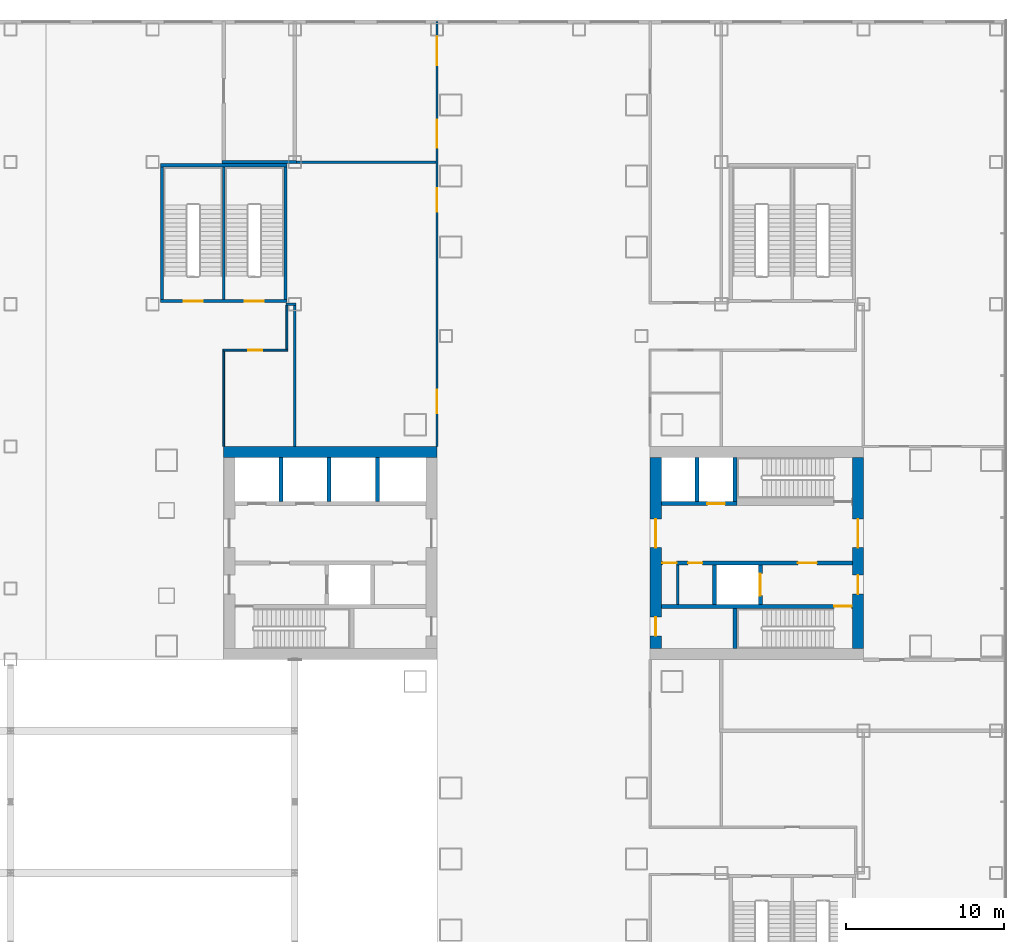
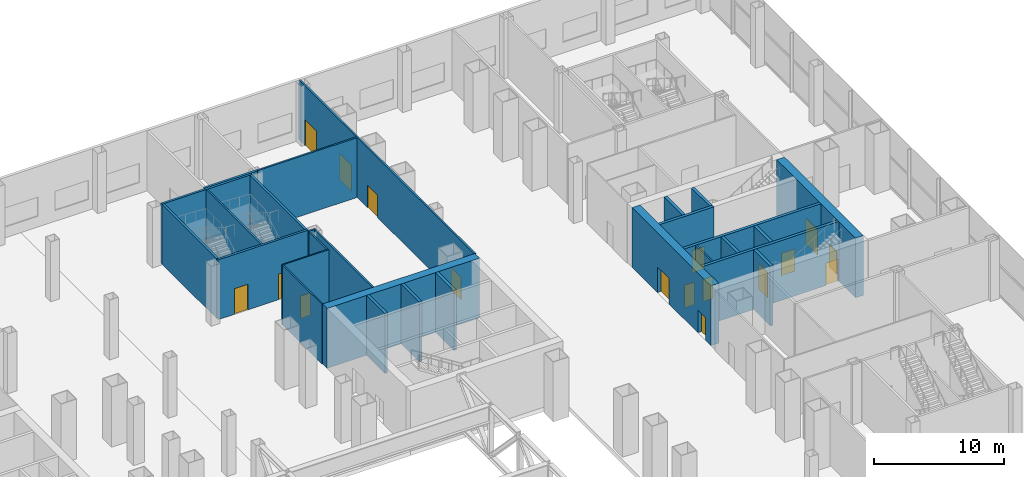
# One storey, part 22 of 33: 28 walls, 17 doors, 17 openings.
"""IFC4 building model written with IfcOpenShell, lengths in metres."""

import ifcopenshell
import ifcopenshell.guid

model = None  # the IFC model being written
_history = None  # IfcOwnerHistory: only IFC2X3 demands one
_inside = {}  # id of a spatial element -> (the spatial element, [elements in it])
_under = {}  # id of a project, library or spatial element -> (it, [spatial elements below it])
_declared = {}  # id of a project -> (the project, [libraries it declares])
_typed = {}  # id of a type object -> (the type object, [elements of that type])
_made_of = {}  # id of a material, layer set ... -> (it, [elements and type objects made of it])


def new_model(schema):
    """Start an empty IFC model of exactly this schema.

    Asked for "IFC4X3", IfcOpenShell would pick the latest addendum, in which some entities
    have other attributes; the version numbers below select the first issue.
    IFC2X3 requires an IfcOwnerHistory on every rooted entity: one is made here for all.
    """
    global model, _history
    if schema == "IFC4X3":
        model = ifcopenshell.file(schema_version=(4, 3, 0, 0))
    else:
        model = ifcopenshell.file(schema=schema)
    _inside.clear()
    _under.clear()
    _declared.clear()
    _typed.clear()
    _made_of.clear()
    _history = None
    if model.schema == "IFC2X3":
        org = make("IfcOrganization", Name="unknown")
        user = make(
            "IfcPersonAndOrganization",
            ThePerson=make("IfcPerson", FamilyName="unknown"),
            TheOrganization=org,
        )
        app = make(
            "IfcApplication",
            ApplicationDeveloper=org,
            Version="unknown",
            ApplicationFullName="unknown",
            ApplicationIdentifier="unknown",
        )
        _history = make(
            "IfcOwnerHistory",
            OwningUser=user,
            OwningApplication=app,
            ChangeAction="ADDED",
            CreationDate=0,
        )
    return model


def make(cls, **values):
    """One entity of the class cls with the attributes given. An attribute that is None is left unset."""
    return model.create_entity(
        cls, **{name: value for name, value in values.items() if value is not None}
    )


def rooted(cls, **values):
    """An entity with a GlobalId (a new one), such as an element, a storey or a relation."""
    return make(cls, GlobalId=ifcopenshell.guid.new(), OwnerHistory=_history, **values)


def si_unit(unit_type, name, prefix=None):
    """IfcSIUnit, for example si_unit("LENGTHUNIT", "METRE", prefix="MILLI")."""
    return make("IfcSIUnit", UnitType=unit_type, Prefix=prefix, Name=name)


def assignment(units):
    """IfcUnitAssignment: the units of a project."""
    return None if units is None else make("IfcUnitAssignment", Units=units)


def point(xyz):
    """IfcCartesianPoint."""
    return None if xyz is None else make("IfcCartesianPoint", Coordinates=xyz)


def direction(xyz):
    """IfcDirection."""
    return None if xyz is None else make("IfcDirection", DirectionRatios=xyz)


def frame(location, z_axis=None, x_axis=None):
    """IfcAxis2Placement3D, a coordinate frame: its origin and axes. An axis left out is left unset."""
    return make(
        "IfcAxis2Placement3D",
        Location=point(location),
        Axis=direction(z_axis),
        RefDirection=direction(x_axis),
    )


def frame_2d(location, x_axis=None):
    """IfcAxis2Placement2D, a coordinate frame in the plane: its origin and x axis."""
    return make(
        "IfcAxis2Placement2D", Location=point(location), RefDirection=direction(x_axis)
    )


def origin():
    """The frame at (0, 0, 0) with its axes left unset."""
    return frame((0.0, 0.0, 0.0))


def place(relative_to, where):
    """IfcLocalPlacement: puts the frame where relative to a parent placement (None: the world)."""
    return make(
        "IfcLocalPlacement", PlacementRelTo=relative_to, RelativePlacement=where
    )


def context(
    kind, dimensions, precision=None, world=None, true_north=None, identifier=None
):
    """IfcGeometricRepresentationContext, for example the 3D "Model" context."""
    return make(
        "IfcGeometricRepresentationContext",
        ContextIdentifier=identifier,
        ContextType=kind,
        CoordinateSpaceDimension=dimensions,
        Precision=precision,
        WorldCoordinateSystem=world,
        TrueNorth=true_north,
    )


def subcontext(parent, identifier, kind, view, scale=None):
    """IfcGeometricRepresentationSubContext, for example "Body" below "Model"."""
    return make(
        "IfcGeometricRepresentationSubContext",
        ContextIdentifier=identifier,
        ContextType=kind,
        ParentContext=parent,
        TargetScale=scale,
        TargetView=view,
    )


def project(units=None, contexts=None):
    """IfcProject with its units and contexts."""
    return rooted(
        "IfcProject",
        Name="project",
        RepresentationContexts=contexts,
        UnitsInContext=assignment(units),
    )


def spatial(cls, under=None, at=None, **own):
    """A site, building, storey or space (cls), placed at a placement, below another one or the project."""
    s = rooted(cls, ObjectPlacement=at, **own)
    if under is not None:
        _under.setdefault(under.id(), (under, []))[1].append(s)
    return s


def profile(cls, at=None, kind="AREA", **sizes):
    """A parametric profile (cls). Its sizes go by their IFC names, for example OverallWidth=200.0."""
    return make(cls, ProfileType=kind, Position=at, **sizes)


def rectangle(**sizes):
    """IfcRectangleProfileDef."""
    return profile("IfcRectangleProfileDef", **sizes)


def extrude(swept, where, along, depth):
    """IfcExtrudedAreaSolid: the profile swept, set in the frame where, extruded along a direction by depth."""
    return make(
        "IfcExtrudedAreaSolid",
        SweptArea=swept,
        Position=where,
        ExtrudedDirection=direction(along),
        Depth=depth,
    )


def shape(context_of_items, identifier, shape_type, items):
    """IfcShapeRepresentation: the items that make up one representation, for example the "Body"."""
    return make(
        "IfcShapeRepresentation",
        ContextOfItems=context_of_items,
        RepresentationIdentifier=identifier,
        RepresentationType=shape_type,
        Items=items,
    )


def material(Name=None, Category=None):
    """IfcMaterial."""
    return make("IfcMaterial", Name=Name, Category=Category)


def layer(
    of_material, thickness, ventilated=None, Name=None, Category=None, Priority=None
):
    """IfcMaterialLayer: one layer of a wall or slab, of a material (None: an air gap)."""
    return make(
        "IfcMaterialLayer",
        Material=of_material,
        LayerThickness=thickness,
        IsVentilated=ventilated,
        Name=Name,
        Category=Category,
        Priority=Priority,
    )


def layer_set(layers, Name=None):
    """IfcMaterialLayerSet."""
    return make("IfcMaterialLayerSet", MaterialLayers=layers, LayerSetName=Name)


def made_of(thing, what):
    """Note that an element or type object is made of a material, layer set ...; save() writes the relation."""
    if what is not None:
        _made_of.setdefault(what.id(), (what, []))[1].append(thing)
    return thing


def type_object(cls, material=None, **own):
    """A type object (cls), such as IfcWallType, which elements share."""
    return made_of(rooted(cls, **own), material)


def element(
    cls,
    number,
    at=None,
    inside=None,
    cuts=None,
    type_object=None,
    material=None,
    context=None,
    identifier="Body",
    shape_type=None,
    held_by="IfcProductDefinitionShape",
    body=None,
    shapes=None,
    **own,
):
    """One element of the class cls, such as IfcWall. Its Tag is "e" and its number.

    at: its placement. inside: the storey or other place that contains it. cuts: it is an
    opening in that element (IfcRelVoidsElement). A single representation is given by context,
    identifier, shape_type and body (its items); several are given by shapes. held_by: the class
    of the entity that holds the representations. save() writes the other relations.
    """
    e = rooted(cls, Tag="e%d" % number, ObjectPlacement=at, **own)
    if body is not None:
        shapes = [shape(context, identifier, shape_type, body)]
    if shapes is not None:
        e.Representation = make(held_by, Representations=shapes)
    if inside is not None:
        _inside.setdefault(inside.id(), (inside, []))[1].append(e)
    if cuts is not None:
        rooted(
            "IfcRelVoidsElement", RelatingBuildingElement=cuts, RelatedOpeningElement=e
        )
    if type_object is not None:
        _typed.setdefault(type_object.id(), (type_object, []))[1].append(e)
    return made_of(e, material)


def fill(opening, filler):
    """IfcRelFillsElement: the door or window that sits in an opening."""
    return rooted(
        "IfcRelFillsElement",
        RelatingOpeningElement=opening,
        RelatedBuildingElement=filler,
    )


def aggregate(whole, parts):
    """IfcRelAggregates: a whole, such as a stair, and the parts it consists of."""
    return rooted("IfcRelAggregates", RelatingObject=whole, RelatedObjects=parts)


def save(model, path):
    """Write the relations noted so far, then the file.

    IfcRelAggregates (storeys below a building ...), IfcRelContainedInSpatialStructure (elements
    in a storey), IfcRelDefinesByType, IfcRelAssociatesMaterial and IfcRelDeclares: one each for
    every whole, place, type object, material and project.
    """
    for whole, parts in _under.values():
        aggregate(whole, parts)
    for where, things in _inside.values():
        rooted(
            "IfcRelContainedInSpatialStructure",
            RelatedElements=things,
            RelatingStructure=where,
        )
    for kind, things in _typed.values():
        rooted("IfcRelDefinesByType", RelatedObjects=things, RelatingType=kind)
    for what, things in _made_of.values():
        rooted("IfcRelAssociatesMaterial", RelatedObjects=things, RelatingMaterial=what)
    for by, libraries in _declared.values():
        rooted("IfcRelDeclares", RelatingContext=by, RelatedDefinitions=libraries)
    model.write(path)


model = new_model("IFC4")

# Units and contexts
model_context = context("Model", 3, precision=1e-05, world=origin(), true_north=direction((0.0, 1.0)))
body_context = subcontext(model_context, "Body", "Model", "MODEL_VIEW")
ifc_project = project(units=[si_unit("LENGTHUNIT", "METRE"), si_unit("AREAUNIT", "SQUARE_METRE"), si_unit("VOLUMEUNIT", "CUBIC_METRE"), si_unit("PLANEANGLEUNIT", "RADIAN"), si_unit("MASSUNIT", "GRAM", prefix="KILO")], contexts=[model_context])

# Site, building, storey
site_placement = place(None, origin())
site = spatial("IfcSite", under=ifc_project, at=site_placement, CompositionType="ELEMENT")
building_placement = place(site_placement, origin())
building = spatial("IfcBuilding", under=site, at=building_placement, Name="Shamsa Quay Exchange Towers", CompositionType="ELEMENT")
storey_placement = place(building_placement, frame((0.0, 0.0, 6.5)))
storey = spatial("IfcBuildingStorey", under=building, at=storey_placement, Name="L01", CompositionType="ELEMENT", Elevation=6.5)

# Walls
ifc_material_1 = material(Name="Double-leaf gypsum board partition with acoustic insulation")
ifc_layer_1 = layer(ifc_material_1, 0.199951171875)
ifc_layer_set_1 = layer_set([ifc_layer_1], Name="Acoustic partition 200 mm EI 60")
wall_type_1 = type_object("IfcWallType", Name="Acoustic partition 200 mm EI 60", PredefinedType="PARTITIONING", material=ifc_layer_set_1)
wall_1_placement = place(storey_placement, frame((18.10009765625, 24.75, 0.0), z_axis=(0.0, 0.0, 1.0), x_axis=(-1.0, 0.0, 0.0)))
element("IfcWall", 1, at=wall_1_placement, inside=storey, type_object=wall_type_1, Name="Partition PD-L01-W58", PredefinedType="PARTITIONING", context=body_context, shape_type="SweptSolid", body=[
    extrude(rectangle(XDim=4.7001953125, YDim=0.199951171875, at=frame_2d((2.35009765625, 0.0))), origin(), (0.0, 0.0, 1.0), 5.60009765625),
])
ifc_material_2 = material(Name="Concrete C80/95", Category="concrete")
ifc_layer_2 = layer(ifc_material_2, 0.699951171875)
ifc_layer_set_2 = layer_set([ifc_layer_2], Name="CORE WALL 700 C80/95")
wall_type_2 = type_object("IfcWallType", Name="CORE WALL 700 C80/95", PredefinedType="SHEAR", material=ifc_layer_set_2)
wall_2_placement = place(storey_placement, frame((13.5, 6.39990234375, 0.0)))
element("IfcWall", 2, at=wall_2_placement, inside=storey, type_object=wall_type_2, Name="Core wall T2A-L01-PN", PredefinedType="SHEAR", context=body_context, shape_type="SweptSolid", body=[
    extrude(rectangle(XDim=13.5, YDim=0.699951171875, at=frame_2d((6.75, 0.0))), origin(), (0.0, 0.0, 1.0), 5.60009765625),
])

# Wall, openings, doors
wall_3_placement = place(storey_placement, frame((53.64990234375, -6.050048828125, 0.0), z_axis=(0.0, 0.0, 1.0), x_axis=(0.0, 1.0, 0.0)))
wall_3 = element("IfcWall", 3, at=wall_3_placement, inside=storey, type_object=wall_type_2, Name="Core wall T2B-L01-PF", PredefinedType="SHEAR", context=body_context, shape_type="SweptSolid", body=[
    extrude(rectangle(XDim=12.10009765625, YDim=0.699951171875, at=frame_2d((6.050048828125, 0.0))), origin(), (0.0, 0.0, 1.0), 5.60009765625),
])
opening_1_placement = place(wall_3_placement, frame((3.449951171875, 0.0, 0.0)))
opening_1 = element("IfcOpeningElement", 4, at=opening_1_placement, cuts=wall_3, Name="Opening T2B-L01-FD01", PredefinedType="OPENING", context=body_context, shape_type="SweptSolid", body=[
    extrude(rectangle(XDim=1.199951171875, YDim=2.10009765625, at=frame_2d((0.60009765625, 1.050048828125))), frame((0.0, 0.35986328125, 0.0), z_axis=(0.0, -1.0, 0.0), x_axis=(1.0, 0.0, 0.0)), (0.0, 0.0, 1.0), 0.719970703125),
])
opening_2_placement = place(wall_3_placement, frame((6.39990234375, 0.0, 0.0)))
opening_2 = element("IfcOpeningElement", 5, at=opening_2_placement, cuts=wall_3, Name="Opening T2B-L01-LBD02", PredefinedType="OPENING", context=body_context, shape_type="SweptSolid", body=[
    extrude(rectangle(XDim=1.800048828125, YDim=2.39990234375, at=frame_2d((0.89990234375, 1.199951171875))), frame((0.0, 0.35986328125, 0.0), z_axis=(0.0, -1.0, 0.0), x_axis=(1.0, 0.0, 0.0)), (0.0, 0.0, 1.0), 0.719970703125),
])
ifc_material_3 = material(Name="Steel, fire rated", Category="steel")
door_type_1 = type_object("IfcDoorType", Name="FIRE SERVICE LOBBY DOOR 1200", OperationType="SINGLE_SWING_LEFT", PredefinedType="DOOR", material=ifc_material_3)
door_1_placement = place(opening_1_placement, origin())
door_1 = element("IfcDoor", 6, at=door_1_placement, inside=storey, type_object=door_type_1, Name="T2B-L01-FD01", OperationType="SINGLE_SWING_LEFT", OverallHeight=2.10009765625, OverallWidth=1.199951171875, PredefinedType="DOOR", context=body_context, shape_type="SweptSolid", body=[
    extrude(rectangle(XDim=1.199951171875, YDim=2.10009765625, at=frame_2d((0.60009765625, 1.050048828125))), frame((0.0, 0.02490234375, 0.0), z_axis=(0.0, -1.0, 0.0), x_axis=(1.0, 0.0, 0.0)), (0.0, 0.0, 1.0), 0.050048828125),
])
fill(opening_1, door_1)
door_type_2 = type_object("IfcDoorType", Name="LIFT LOBBY DOOR PAIR 1800", OperationType="DOUBLE_DOOR_SINGLE_SWING", PredefinedType="DOOR", material=ifc_material_3)
door_2_placement = place(opening_2_placement, origin())
door_2 = element("IfcDoor", 7, at=door_2_placement, inside=storey, type_object=door_type_2, Name="T2B-L01-LBD02", OperationType="DOUBLE_DOOR_SINGLE_SWING", OverallHeight=2.39990234375, OverallWidth=1.800048828125, PredefinedType="DOOR", context=body_context, shape_type="SweptSolid", body=[
    extrude(rectangle(XDim=1.800048828125, YDim=2.39990234375, at=frame_2d((0.89990234375, 1.199951171875))), frame((0.0, 0.02490234375, 0.0), z_axis=(0.0, -1.0, 0.0), x_axis=(1.0, 0.0, 0.0)), (0.0, 0.0, 1.0), 0.050048828125),
])
fill(opening_2, door_2)

wall_4_placement = place(storey_placement, frame((40.85009765625, -6.050048828125, 0.0), z_axis=(0.0, 0.0, 1.0), x_axis=(0.0, 1.0, 0.0)))
wall_4 = element("IfcWall", 8, at=wall_4_placement, inside=storey, type_object=wall_type_2, Name="Core wall T2B-L01-PB", PredefinedType="SHEAR", context=body_context, shape_type="SweptSolid", body=[
    extrude(rectangle(XDim=12.10009765625, YDim=0.699951171875, at=frame_2d((6.050048828125, 0.0))), origin(), (0.0, 0.0, 1.0), 5.60009765625),
])
opening_3_placement = place(wall_4_placement, frame((0.800048828125, 0.0, 0.0)))
opening_3 = element("IfcOpeningElement", 9, at=opening_3_placement, cuts=wall_4, Name="Opening T2B-L01-RD03", PredefinedType="OPENING", context=body_context, shape_type="SweptSolid", body=[
    extrude(rectangle(XDim=1.199951171875, YDim=2.10009765625, at=frame_2d((0.60009765625, 1.050048828125))), frame((0.0, 0.35986328125, 0.0), z_axis=(0.0, -1.0, 0.0), x_axis=(1.0, 0.0, 0.0)), (0.0, 0.0, 1.0), 0.719970703125),
])
opening_4_placement = place(wall_4_placement, frame((6.39990234375, 0.0, 0.0)))
opening_4 = element("IfcOpeningElement", 10, at=opening_4_placement, cuts=wall_4, Name="Opening T2B-L01-LBD04", PredefinedType="OPENING", context=body_context, shape_type="SweptSolid", body=[
    extrude(rectangle(XDim=1.800048828125, YDim=2.39990234375, at=frame_2d((0.89990234375, 1.199951171875))), frame((0.0, 0.35986328125, 0.0), z_axis=(0.0, -1.0, 0.0), x_axis=(1.0, 0.0, 0.0)), (0.0, 0.0, 1.0), 0.719970703125),
])
door_3_placement = place(opening_4_placement, origin())
door_3 = element("IfcDoor", 11, at=door_3_placement, inside=storey, type_object=door_type_2, Name="T2B-L01-LBD04", OperationType="DOUBLE_DOOR_SINGLE_SWING", OverallHeight=2.39990234375, OverallWidth=1.800048828125, PredefinedType="DOOR", context=body_context, shape_type="SweptSolid", body=[
    extrude(rectangle(XDim=1.800048828125, YDim=2.39990234375, at=frame_2d((0.89990234375, 1.199951171875))), frame((0.0, 0.02490234375, 0.0), z_axis=(0.0, -1.0, 0.0), x_axis=(1.0, 0.0, 0.0)), (0.0, 0.0, 1.0), 0.050048828125),
])
fill(opening_4, door_3)
door_type_3 = type_object("IfcDoorType", Name="RISER ACCESS DOOR 1200", OperationType="SINGLE_SWING_LEFT", PredefinedType="DOOR", material=ifc_material_3)
door_4_placement = place(opening_3_placement, origin())
door_4 = element("IfcDoor", 12, at=door_4_placement, inside=storey, type_object=door_type_3, Name="T2B-L01-RD03", OperationType="SINGLE_SWING_LEFT", OverallHeight=2.10009765625, OverallWidth=1.199951171875, PredefinedType="DOOR", context=body_context, shape_type="SweptSolid", body=[
    extrude(rectangle(XDim=1.199951171875, YDim=2.10009765625, at=frame_2d((0.60009765625, 1.050048828125))), frame((0.0, 0.02490234375, 0.0), z_axis=(0.0, -1.0, 0.0), x_axis=(1.0, 0.0, 0.0)), (0.0, 0.0, 1.0), 0.050048828125),
])
fill(opening_3, door_4)

# Walls
ifc_material_4 = material(Name="Gypsum board on steel studs, EI 60", Category="steel")
ifc_layer_3 = layer(ifc_material_4, 0.14990234375)
ifc_layer_set_3 = layer_set([ifc_layer_3], Name="FIRE PARTITION 150")
wall_type_3 = type_object("IfcWallType", Name="FIRE PARTITION 150", PredefinedType="PARTITIONING", material=ifc_layer_set_3)
wall_5_placement = place(storey_placement, frame((42.25, -3.25, 0.0), z_axis=(0.0, 0.0, 1.0), x_axis=(0.0, 1.0, 0.0)))
element("IfcWall", 13, at=wall_5_placement, inside=storey, type_object=wall_type_3, Name="Partition T2B-L01-EC0", PredefinedType="PARTITIONING", context=body_context, shape_type="SweptSolid", body=[
    extrude(rectangle(XDim=2.5, YDim=0.14990234375, at=frame_2d((1.25, 0.0))), origin(), (0.0, 0.0, 1.0), 5.60009765625),
])
ifc_material_5 = material(Name="Laminated fire-resisting glass in a metal frame", Category="glass")
ifc_layer_4 = layer(ifc_material_5, 0.125)
ifc_layer_set_4 = layer_set([ifc_layer_4], Name="Glazed partition 125 mm EI 60")
wall_type_4 = type_object("IfcWallType", Name="Glazed partition 125 mm EI 60", PredefinedType="PARTITIONING", material=ifc_layer_set_4)
wall_6_placement = place(storey_placement, frame((13.5, 12.787109375, 0.0), z_axis=(0.0, 0.0, 1.0), x_axis=(0.0, -1.0, 0.0)))
element("IfcWall", 14, at=wall_6_placement, inside=storey, type_object=wall_type_4, Name="Partition PD-L01-W15", PredefinedType="PARTITIONING", context=body_context, shape_type="SweptSolid", body=[
    extrude(rectangle(XDim=6.037109375, YDim=0.125, at=frame_2d((3.0185546875, 0.0))), origin(), (0.0, 0.0, 1.0), 5.60009765625),
])

# Wall, opening, door
wall_7_placement = place(storey_placement, frame((17.5625, 12.849609375, 0.0), z_axis=(0.0, 0.0, 1.0), x_axis=(-1.0, 0.0, 0.0)))
wall_7 = element("IfcWall", 15, at=wall_7_placement, inside=storey, type_object=wall_type_4, Name="Partition PD-L01-W23", PredefinedType="PARTITIONING", context=body_context, shape_type="SweptSolid", body=[
    extrude(rectangle(XDim=4.125, YDim=0.125, at=frame_2d((2.0625, 0.0))), origin(), (0.0, 0.0, 1.0), 5.60009765625),
])
opening_5_placement = place(wall_7_placement, frame((1.612548828125, 0.0, 0.0)))
opening_5 = element("IfcOpeningElement", 16, at=opening_5_placement, cuts=wall_7, Name="Opening PD-L01-D21", PredefinedType="OPENING", context=body_context, shape_type="SweptSolid", body=[
    extrude(rectangle(XDim=0.89990234375, YDim=2.10009765625, at=frame_2d((0.449951171875, 1.050048828125))), frame((0.0, 0.072509765625, 0.0), z_axis=(0.0, -1.0, 0.0), x_axis=(1.0, 0.0, 0.0)), (0.0, 0.0, 1.0), 0.14501953125),
])
ifc_material_6 = material(Name="Timber door leaf in a metal frame", Category="wood")
door_type_4 = type_object("IfcDoorType", Name="Door 900x2100 FD30S", OperationType="NOTDEFINED", PredefinedType="DOOR", material=ifc_material_6)
door_5_placement = place(opening_5_placement, origin())
door_5 = element("IfcDoor", 17, at=door_5_placement, inside=storey, type_object=door_type_4, Name="Door PD-L01-D21", OperationType="SINGLE_SWING_RIGHT", OverallHeight=2.10009765625, OverallWidth=0.89990234375, PredefinedType="DOOR", context=body_context, shape_type="SweptSolid", body=[
    extrude(rectangle(XDim=0.89990234375, YDim=2.10009765625, at=frame_2d((0.449951171875, 1.050048828125))), frame((0.0, 0.02490234375, 0.0), z_axis=(0.0, -1.0, 0.0), x_axis=(1.0, 0.0, 0.0)), (0.0, 0.0, 1.0), 0.050048828125),
])
fill(opening_5, door_5)

# Wall
wall_8_placement = place(storey_placement, frame((17.5, 15.675048828125, 0.0), z_axis=(0.0, 0.0, 1.0), x_axis=(0.0, -1.0, 0.0)))
element("IfcWall", 18, at=wall_8_placement, inside=storey, type_object=wall_type_4, Name="Partition PD-L01-W28", PredefinedType="PARTITIONING", context=body_context, shape_type="SweptSolid", body=[
    extrude(rectangle(XDim=2.762939453125, YDim=0.125, at=frame_2d((1.38134765625, 0.0))), origin(), (0.0, 0.0, 1.0), 5.60009765625),
])

# Wall, openings, doors
ifc_material_7 = material(Name="Gypsum board partition on metal studs")
ifc_layer_5 = layer(ifc_material_7, 0.14990234375)
ifc_layer_set_5 = layer_set([ifc_layer_5], Name="Partition 150 mm EI 60")
wall_type_5 = type_object("IfcWallType", Name="Partition 150 mm EI 60", PredefinedType="PARTITIONING", material=ifc_layer_set_5)
wall_9_placement = place(storey_placement, frame((27.0, 33.655029296875, 0.0), z_axis=(0.0, 0.0, 1.0), x_axis=(0.0, -1.0, 0.0)))
wall_9 = element("IfcWall", 19, at=wall_9_placement, inside=storey, type_object=wall_type_5, Name="Partition PD-L01-W09", PredefinedType="PARTITIONING", context=body_context, shape_type="SweptSolid", body=[
    extrude(rectangle(XDim=26.905029296875, YDim=0.14990234375, at=frame_2d((13.45263671875, 0.0))), origin(), (0.0, 0.0, 1.0), 5.60009765625),
])
opening_6_placement = place(wall_9_placement, frame((0.955078125, 0.0, 0.0)))
opening_6 = element("IfcOpeningElement", 20, at=opening_6_placement, cuts=wall_9, Name="Opening PD-L01-D22", PredefinedType="OPENING", context=body_context, shape_type="SweptSolid", body=[
    extrude(rectangle(XDim=1.800048828125, YDim=2.39990234375, at=frame_2d((0.89990234375, 1.199951171875))), frame((0.0, 0.0849609375, 0.0), z_axis=(0.0, -1.0, 0.0), x_axis=(1.0, 0.0, 0.0)), (0.0, 0.0, 1.0), 0.169921875),
])
opening_7_placement = place(wall_9_placement, frame((6.205078125, 0.0, 0.0)))
opening_7 = element("IfcOpeningElement", 21, at=opening_7_placement, cuts=wall_9, Name="Opening PD-L01-D23", PredefinedType="OPENING", context=body_context, shape_type="SweptSolid", body=[
    extrude(rectangle(XDim=1.800048828125, YDim=2.39990234375, at=frame_2d((0.89990234375, 1.199951171875))), frame((0.0, 0.0849609375, 0.0), z_axis=(0.0, -1.0, 0.0), x_axis=(1.0, 0.0, 0.0)), (0.0, 0.0, 1.0), 0.169921875),
])
opening_8_placement = place(wall_9_placement, frame((10.554931640625, 0.0, 0.0)))
opening_8 = element("IfcOpeningElement", 22, at=opening_8_placement, cuts=wall_9, Name="Opening PD-L01-D24", PredefinedType="OPENING", context=body_context, shape_type="SweptSolid", body=[
    extrude(rectangle(XDim=1.5, YDim=2.10009765625, at=frame_2d((0.75, 1.050048828125))), frame((0.0, 0.0849609375, 0.0), z_axis=(0.0, -1.0, 0.0), x_axis=(1.0, 0.0, 0.0)), (0.0, 0.0, 1.0), 0.169921875),
])
opening_9_placement = place(wall_9_placement, frame((23.304931640625, 0.0, 0.0)))
opening_9 = element("IfcOpeningElement", 23, at=opening_9_placement, cuts=wall_9, Name="Opening PD-L01-D25", PredefinedType="OPENING", context=body_context, shape_type="SweptSolid", body=[
    extrude(rectangle(XDim=1.5, YDim=2.10009765625, at=frame_2d((0.75, 1.050048828125))), frame((0.0, 0.0849609375, 0.0), z_axis=(0.0, -1.0, 0.0), x_axis=(1.0, 0.0, 0.0)), (0.0, 0.0, 1.0), 0.169921875),
])
door_type_5 = type_object("IfcDoorType", Name="Door 1500x2100 FD30S pair", OperationType="NOTDEFINED", PredefinedType="DOOR", material=ifc_material_6)
door_6_placement = place(opening_8_placement, origin())
door_6 = element("IfcDoor", 24, at=door_6_placement, inside=storey, type_object=door_type_5, Name="Door PD-L01-D24", OperationType="DOUBLE_DOOR_SINGLE_SWING", OverallHeight=2.10009765625, OverallWidth=1.5, PredefinedType="DOOR", context=body_context, shape_type="SweptSolid", body=[
    extrude(rectangle(XDim=1.5, YDim=2.10009765625, at=frame_2d((0.75, 1.050048828125))), frame((0.0, 0.02490234375, 0.0), z_axis=(0.0, -1.0, 0.0), x_axis=(1.0, 0.0, 0.0)), (0.0, 0.0, 1.0), 0.050048828125),
])
fill(opening_8, door_6)
door_7_placement = place(opening_9_placement, origin())
door_7 = element("IfcDoor", 25, at=door_7_placement, inside=storey, type_object=door_type_5, Name="Door PD-L01-D25", OperationType="DOUBLE_DOOR_SINGLE_SWING", OverallHeight=2.10009765625, OverallWidth=1.5, PredefinedType="DOOR", context=body_context, shape_type="SweptSolid", body=[
    extrude(rectangle(XDim=1.5, YDim=2.10009765625, at=frame_2d((0.75, 1.050048828125))), frame((0.0, 0.02490234375, 0.0), z_axis=(0.0, -1.0, 0.0), x_axis=(1.0, 0.0, 0.0)), (0.0, 0.0, 1.0), 0.050048828125),
])
fill(opening_9, door_7)
door_type_6 = type_object("IfcDoorType", Name="Door 1800x2400 FD30S pair", OperationType="NOTDEFINED", PredefinedType="DOOR", material=ifc_material_6)
door_8_placement = place(opening_6_placement, origin())
door_8 = element("IfcDoor", 26, at=door_8_placement, inside=storey, type_object=door_type_6, Name="Door PD-L01-D22", OperationType="DOUBLE_DOOR_SINGLE_SWING", OverallHeight=2.39990234375, OverallWidth=1.800048828125, PredefinedType="DOOR", context=body_context, shape_type="SweptSolid", body=[
    extrude(rectangle(XDim=1.800048828125, YDim=2.39990234375, at=frame_2d((0.89990234375, 1.199951171875))), frame((0.0, 0.02490234375, 0.0), z_axis=(0.0, -1.0, 0.0), x_axis=(1.0, 0.0, 0.0)), (0.0, 0.0, 1.0), 0.050048828125),
])
fill(opening_6, door_8)
door_9_placement = place(opening_7_placement, origin())
door_9 = element("IfcDoor", 27, at=door_9_placement, inside=storey, type_object=door_type_6, Name="Door PD-L01-D23", OperationType="DOUBLE_DOOR_SINGLE_SWING", OverallHeight=2.39990234375, OverallWidth=1.800048828125, PredefinedType="DOOR", context=body_context, shape_type="SweptSolid", body=[
    extrude(rectangle(XDim=1.800048828125, YDim=2.39990234375, at=frame_2d((0.89990234375, 1.199951171875))), frame((0.0, 0.02490234375, 0.0), z_axis=(0.0, -1.0, 0.0), x_axis=(1.0, 0.0, 0.0)), (0.0, 0.0, 1.0), 0.050048828125),
])
fill(opening_7, door_9)

# Walls
wall_10_placement = place(storey_placement, frame((17.4375, 15.75, 0.0)))
element("IfcWall", 28, at=wall_10_placement, inside=storey, type_object=wall_type_5, Name="Partition PD-L01-W50", PredefinedType="PARTITIONING", context=body_context, shape_type="SweptSolid", body=[
    extrude(rectangle(XDim=0.637451171875, YDim=0.14990234375, at=frame_2d((0.31884765625, 0.0))), origin(), (0.0, 0.0, 1.0), 5.60009765625),
])
wall_11_placement = place(storey_placement, frame((26.925048828125, 24.75, 0.0), z_axis=(0.0, 0.0, 1.0), x_axis=(-1.0, 0.0, 0.0)))
element("IfcWall", 29, at=wall_11_placement, inside=storey, type_object=wall_type_5, Name="Partition PD-L01-W61", PredefinedType="PARTITIONING", context=body_context, shape_type="SweptSolid", body=[
    extrude(rectangle(XDim=9.025146484375, YDim=0.14990234375, at=frame_2d((4.5126953125, 0.0))), origin(), (0.0, 0.0, 1.0), 5.60009765625),
])
wall_12_placement = place(storey_placement, frame((18.0, 15.675048828125, 0.0), z_axis=(0.0, 0.0, 1.0), x_axis=(0.0, -1.0, 0.0)))
element("IfcWall", 30, at=wall_12_placement, inside=storey, type_object=wall_type_5, Name="Partition PD-L01-W62", PredefinedType="PARTITIONING", context=body_context, shape_type="SweptSolid", body=[
    extrude(rectangle(XDim=8.925048828125, YDim=0.14990234375, at=frame_2d((4.46240234375, 0.0))), origin(), (0.0, 0.0, 1.0), 5.60009765625),
])
ifc_material_8 = material(Name="Concrete C50/60", Category="concrete")
ifc_layer_6 = layer(ifc_material_8, 0.25)
ifc_layer_set_6 = layer_set([ifc_layer_6], Name="SHAFT WALL 250 C50/60")
wall_type_6 = type_object("IfcWallType", Name="SHAFT WALL 250 C50/60", PredefinedType="SHEAR", material=ifc_layer_set_6)
for number, where, z_axis, x_axis, name in (
    (31, (17.125, 3.25, 0.0), (0.0, 0.0, 1.0), (0.0, 1.0, 0.0), "Shaft wall T2A-L01-D0"),
    (32, (20.175048828125, 3.25, 0.0), (0.0, 0.0, 1.0), (0.0, 1.0, 0.0), "Shaft wall T2A-L01-D1"),
    (33, (23.22509765625, 3.25, 0.0), (0.0, 0.0, 1.0), (0.0, 1.0, 0.0), "Shaft wall T2A-L01-D2"),
):
    element("IfcWall", number, at=place(storey_placement, frame(where, z_axis=z_axis, x_axis=x_axis)), inside=storey, type_object=wall_type_6, Name=name, PredefinedType="SHEAR", context=body_context, shape_type="SweptSolid", body=[
        extrude(rectangle(XDim=2.800048828125, YDim=0.25, at=frame_2d((1.39990234375, 0.0))), origin(), (0.0, 0.0, 1.0), 5.60009765625),
    ])

# Wall, opening, door
wall_13_placement = place(storey_placement, frame((53.300048828125, -3.375, 0.0), z_axis=(0.0, 0.0, 1.0), x_axis=(-1.0, 0.0, 0.0)))
wall_13 = element("IfcWall", 34, at=wall_13_placement, inside=storey, type_object=wall_type_6, Name="Shaft wall T2B-L01-STL", PredefinedType="SHEAR", context=body_context, shape_type="SweptSolid", body=[
    extrude(rectangle(XDim=12.10009765625, YDim=0.25, at=frame_2d((6.050048828125, 0.0))), origin(), (0.0, 0.0, 1.0), 5.60009765625),
])
opening_10_placement = place(wall_13_placement, frame((0.050048828125, 0.0, 0.0)))
opening_10 = element("IfcOpeningElement", 35, at=opening_10_placement, cuts=wall_13, Name="Opening T2B-L01-SD05", PredefinedType="OPENING", context=body_context, shape_type="SweptSolid", body=[
    extrude(rectangle(XDim=1.10009765625, YDim=2.10009765625, at=frame_2d((0.550048828125, 1.050048828125))), frame((0.0, 0.135009765625, 0.0), z_axis=(0.0, -1.0, 0.0), x_axis=(1.0, 0.0, 0.0)), (0.0, 0.0, 1.0), 0.27001953125),
])
door_type_7 = type_object("IfcDoorType", Name="STAIR DOOR 1100", OperationType="SINGLE_SWING_LEFT", PredefinedType="DOOR", material=ifc_material_3)
door_10_placement = place(opening_10_placement, origin())
door_10 = element("IfcDoor", 36, at=door_10_placement, inside=storey, type_object=door_type_7, Name="T2B-L01-SD05", OperationType="SINGLE_SWING_LEFT", OverallHeight=2.10009765625, OverallWidth=1.10009765625, PredefinedType="DOOR", context=body_context, shape_type="SweptSolid", body=[
    extrude(rectangle(XDim=1.10009765625, YDim=2.10009765625, at=frame_2d((0.550048828125, 1.050048828125))), frame((0.0, 0.02490234375, 0.0), z_axis=(0.0, -1.0, 0.0), x_axis=(1.0, 0.0, 0.0)), (0.0, 0.0, 1.0), 0.050048828125),
])
fill(opening_10, door_10)

# Wall
wall_14_placement = place(storey_placement, frame((45.875, -6.050048828125, 0.0), z_axis=(0.0, 0.0, 1.0), x_axis=(0.0, 1.0, 0.0)))
element("IfcWall", 37, at=wall_14_placement, inside=storey, type_object=wall_type_6, Name="Shaft wall T2B-L01-STF", PredefinedType="SHEAR", context=body_context, shape_type="SweptSolid", body=[
    extrude(rectangle(XDim=2.550048828125, YDim=0.25, at=frame_2d((1.27490234375, 0.0))), origin(), (0.0, 0.0, 1.0), 5.60009765625),
])

# Wall, openings, doors
wall_15_placement = place(storey_placement, frame((53.300048828125, -0.625, 0.0), z_axis=(0.0, 0.0, 1.0), x_axis=(-1.0, 0.0, 0.0)))
wall_15 = element("IfcWall", 38, at=wall_15_placement, inside=storey, type_object=wall_type_6, Name="Shaft wall T2B-L01-B", PredefinedType="SHEAR", context=body_context, shape_type="SweptSolid", body=[
    extrude(rectangle(XDim=12.10009765625, YDim=0.25, at=frame_2d((6.050048828125, 0.0))), origin(), (0.0, 0.0, 1.0), 5.60009765625),
])
opening_11_placement = place(wall_15_placement, frame((2.25, 0.0, 0.0)))
opening_11 = element("IfcOpeningElement", 39, at=opening_11_placement, cuts=wall_15, Name="Opening T2B-L01-FD06", PredefinedType="OPENING", context=body_context, shape_type="SweptSolid", body=[
    extrude(rectangle(XDim=1.199951171875, YDim=2.10009765625, at=frame_2d((0.60009765625, 1.050048828125))), frame((0.0, 0.135009765625, 0.0), z_axis=(0.0, -1.0, 0.0), x_axis=(1.0, 0.0, 0.0)), (0.0, 0.0, 1.0), 0.27001953125),
])
opening_12_placement = place(wall_15_placement, frame((9.5, 0.0, 0.0)))
opening_12 = element("IfcOpeningElement", 40, at=opening_12_placement, cuts=wall_15, Name="Opening T2B-L01-SV07", PredefinedType="OPENING", context=body_context, shape_type="SweptSolid", body=[
    extrude(rectangle(XDim=0.89990234375, YDim=2.10009765625, at=frame_2d((0.449951171875, 1.050048828125))), frame((0.0, 0.135009765625, 0.0), z_axis=(0.0, -1.0, 0.0), x_axis=(1.0, 0.0, 0.0)), (0.0, 0.0, 1.0), 0.27001953125),
])
opening_13_placement = place(wall_15_placement, frame((11.125, 0.0, 0.0)))
opening_13 = element("IfcOpeningElement", 41, at=opening_13_placement, cuts=wall_15, Name="Opening T2B-L01-SV08", PredefinedType="OPENING", context=body_context, shape_type="SweptSolid", body=[
    extrude(rectangle(XDim=0.89990234375, YDim=2.10009765625, at=frame_2d((0.449951171875, 1.050048828125))), frame((0.0, 0.135009765625, 0.0), z_axis=(0.0, -1.0, 0.0), x_axis=(1.0, 0.0, 0.0)), (0.0, 0.0, 1.0), 0.27001953125),
])
door_11_placement = place(opening_11_placement, origin())
door_11 = element("IfcDoor", 42, at=door_11_placement, inside=storey, type_object=door_type_1, Name="T2B-L01-FD06", OperationType="SINGLE_SWING_LEFT", OverallHeight=2.10009765625, OverallWidth=1.199951171875, PredefinedType="DOOR", context=body_context, shape_type="SweptSolid", body=[
    extrude(rectangle(XDim=1.199951171875, YDim=2.10009765625, at=frame_2d((0.60009765625, 1.050048828125))), frame((0.0, 0.02490234375, 0.0), z_axis=(0.0, -1.0, 0.0), x_axis=(1.0, 0.0, 0.0)), (0.0, 0.0, 1.0), 0.050048828125),
])
fill(opening_11, door_11)
door_type_8 = type_object("IfcDoorType", Name="SERVICE ROOM DOOR 900", OperationType="SINGLE_SWING_LEFT", PredefinedType="DOOR", material=ifc_material_3)
door_12_placement = place(opening_12_placement, origin())
door_12 = element("IfcDoor", 43, at=door_12_placement, inside=storey, type_object=door_type_8, Name="T2B-L01-SV07", OperationType="SINGLE_SWING_RIGHT", OverallHeight=2.10009765625, OverallWidth=0.89990234375, PredefinedType="DOOR", context=body_context, shape_type="SweptSolid", body=[
    extrude(rectangle(XDim=0.89990234375, YDim=2.10009765625, at=frame_2d((0.449951171875, 1.050048828125))), frame((0.0, 0.02490234375, 0.0), z_axis=(0.0, -1.0, 0.0), x_axis=(1.0, 0.0, 0.0)), (0.0, 0.0, 1.0), 0.050048828125),
])
fill(opening_12, door_12)
door_13_placement = place(opening_13_placement, origin())
door_13 = element("IfcDoor", 44, at=door_13_placement, inside=storey, type_object=door_type_8, Name="T2B-L01-SV08", OperationType="SINGLE_SWING_RIGHT", OverallHeight=2.10009765625, OverallWidth=0.89990234375, PredefinedType="DOOR", context=body_context, shape_type="SweptSolid", body=[
    extrude(rectangle(XDim=0.89990234375, YDim=2.10009765625, at=frame_2d((0.449951171875, 1.050048828125))), frame((0.0, 0.02490234375, 0.0), z_axis=(0.0, -1.0, 0.0), x_axis=(1.0, 0.0, 0.0)), (0.0, 0.0, 1.0), 0.050048828125),
])
fill(opening_13, door_13)

# Wall, opening, door
wall_16_placement = place(storey_placement, frame((47.47509765625, -3.25, 0.0), z_axis=(0.0, 0.0, 1.0), x_axis=(0.0, 1.0, 0.0)))
wall_16 = element("IfcWall", 45, at=wall_16_placement, inside=storey, type_object=wall_type_6, Name="Shaft wall T2B-L01-FFF", PredefinedType="SHEAR", context=body_context, shape_type="SweptSolid", body=[
    extrude(rectangle(XDim=2.5, YDim=0.25, at=frame_2d((1.25, 0.0))), origin(), (0.0, 0.0, 1.0), 5.60009765625),
])
opening_14_placement = place(wall_16_placement, frame((0.550048828125, 0.0, 0.0)))
opening_14 = element("IfcOpeningElement", 46, at=opening_14_placement, cuts=wall_16, Name="Opening T2B-L01-LDG09", PredefinedType="OPENING", context=body_context, shape_type="SweptSolid", body=[
    extrude(rectangle(XDim=1.39990234375, YDim=2.39990234375, at=frame_2d((0.699951171875, 1.199951171875))), frame((0.0, 0.135009765625, 0.0), z_axis=(0.0, -1.0, 0.0), x_axis=(1.0, 0.0, 0.0)), (0.0, 0.0, 1.0), 0.27001953125),
])
door_type_9 = type_object("IfcDoorType", Name="GOODS LIFT LANDING DOOR 1400", OperationType="SLIDING_TO_LEFT", PredefinedType="DOOR", material=ifc_material_3)
door_14_placement = place(opening_14_placement, origin())
door_14 = element("IfcDoor", 47, at=door_14_placement, inside=storey, type_object=door_type_9, Name="T2B-L01-LDG09", OperationType="SLIDING_TO_LEFT", OverallHeight=2.39990234375, OverallWidth=1.39990234375, PredefinedType="DOOR", context=body_context, shape_type="SweptSolid", body=[
    extrude(rectangle(XDim=1.39990234375, YDim=2.39990234375, at=frame_2d((0.699951171875, 1.199951171875))), frame((0.0, 0.02490234375, 0.0), z_axis=(0.0, -1.0, 0.0), x_axis=(1.0, 0.0, 0.0)), (0.0, 0.0, 1.0), 0.050048828125),
])
fill(opening_14, door_14)

# Wall
wall_17_placement = place(storey_placement, frame((44.574951171875, -3.25, 0.0), z_axis=(0.0, 0.0, 1.0), x_axis=(0.0, 1.0, 0.0)))
element("IfcWall", 48, at=wall_17_placement, inside=storey, type_object=wall_type_6, Name="Shaft wall T2B-L01-FFB", PredefinedType="SHEAR", context=body_context, shape_type="SweptSolid", body=[
    extrude(rectangle(XDim=2.5, YDim=0.25, at=frame_2d((1.25, 0.0))), origin(), (0.0, 0.0, 1.0), 5.60009765625),
])

# Wall, opening, door
wall_18_placement = place(storey_placement, frame((46.0, 3.125, 0.0), z_axis=(0.0, 0.0, 1.0), x_axis=(-1.0, 0.0, 0.0)))
wall_18 = element("IfcWall", 49, at=wall_18_placement, inside=storey, type_object=wall_type_6, Name="Shaft wall T2B-L01-N2", PredefinedType="SHEAR", context=body_context, shape_type="SweptSolid", body=[
    extrude(rectangle(XDim=4.800048828125, YDim=0.25, at=frame_2d((2.39990234375, 0.0))), origin(), (0.0, 0.0, 1.0), 5.60009765625),
])
opening_15_placement = place(wall_18_placement, frame((0.77490234375, 0.0, 0.0)))
opening_15 = element("IfcOpeningElement", 50, at=opening_15_placement, cuts=wall_18, Name="Opening T2B-L01-LD11", PredefinedType="OPENING", context=body_context, shape_type="SweptSolid", body=[
    extrude(rectangle(XDim=1.10009765625, YDim=2.10009765625, at=frame_2d((0.550048828125, 1.050048828125))), frame((0.0, 0.135009765625, 0.0), z_axis=(0.0, -1.0, 0.0), x_axis=(1.0, 0.0, 0.0)), (0.0, 0.0, 1.0), 0.27001953125),
])
door_type_10 = type_object("IfcDoorType", Name="LANDING DOOR 1100", OperationType="SLIDING_TO_LEFT", PredefinedType="DOOR", material=ifc_material_3)
door_15_placement = place(opening_15_placement, origin())
door_15 = element("IfcDoor", 51, at=door_15_placement, inside=storey, type_object=door_type_10, Name="T2B-L01-LD11", OperationType="SLIDING_TO_LEFT", OverallHeight=2.10009765625, OverallWidth=1.10009765625, PredefinedType="DOOR", context=body_context, shape_type="SweptSolid", body=[
    extrude(rectangle(XDim=1.10009765625, YDim=2.10009765625, at=frame_2d((0.550048828125, 1.050048828125))), frame((0.0, 0.02490234375, 0.0), z_axis=(0.0, -1.0, 0.0), x_axis=(1.0, 0.0, 0.0)), (0.0, 0.0, 1.0), 0.050048828125),
])
fill(opening_15, door_15)

# Walls
for number, where, z_axis, x_axis, name in (
    (52, (45.875, 3.25, 0.0), (0.0, 0.0, 1.0), (0.0, 1.0, 0.0), "Shaft wall T2B-L01-STF2"),
    (53, (43.47509765625, 3.25, 0.0), (0.0, 0.0, 1.0), (0.0, 1.0, 0.0), "Shaft wall T2B-L01-D0"),
):
    element("IfcWall", number, at=place(storey_placement, frame(where, z_axis=z_axis, x_axis=x_axis)), inside=storey, type_object=wall_type_6, Name=name, PredefinedType="SHEAR", context=body_context, shape_type="SweptSolid", body=[
        extrude(rectangle(XDim=2.800048828125, YDim=0.25, at=frame_2d((1.39990234375, 0.0))), origin(), (0.0, 0.0, 1.0), 5.60009765625),
    ])

# Wall, openings, doors
ifc_layer_7 = layer(ifc_material_8, 0.199951171875)
ifc_layer_set_7 = layer_set([ifc_layer_7], Name="STAIR ENCLOSURE WALL 200 C50/60")
wall_type_7 = type_object("IfcWallType", Name="STAIR ENCLOSURE WALL 200 C50/60", PredefinedType="SHEAR", material=ifc_layer_set_7)
wall_19_placement = place(storey_placement, frame((9.5, 15.949951171875, 0.0)))
wall_19 = element("IfcWall", 54, at=wall_19_placement, inside=storey, type_object=wall_type_7, Name="Stair enclosure wall PS3 inward", PredefinedType="SHEAR", context=body_context, shape_type="SweptSolid", body=[
    extrude(rectangle(XDim=8.0, YDim=0.199951171875, at=frame_2d((4.0, 0.0))), origin(), (0.0, 0.0, 1.0), 5.60009765625),
])
opening_16_placement = place(wall_19_placement, frame((1.46240234375, 0.0, 0.0)))
opening_16 = element("IfcOpeningElement", 55, at=opening_16_placement, cuts=wall_19, Name="Opening PS3A-L01-SD01", PredefinedType="OPENING", context=body_context, shape_type="SweptSolid", body=[
    extrude(rectangle(XDim=1.199951171875, YDim=2.39990234375, at=frame_2d((0.60009765625, 1.199951171875))), frame((0.0, 0.10986328125, 0.0), z_axis=(0.0, -1.0, 0.0), x_axis=(1.0, 0.0, 0.0)), (0.0, 0.0, 1.0), 0.219970703125),
])
opening_17_placement = place(wall_19_placement, frame((5.33740234375, 0.0, 0.0)))
opening_17 = element("IfcOpeningElement", 56, at=opening_17_placement, cuts=wall_19, Name="Opening PS3B-L01-SD01", PredefinedType="OPENING", context=body_context, shape_type="SweptSolid", body=[
    extrude(rectangle(XDim=1.199951171875, YDim=2.39990234375, at=frame_2d((0.60009765625, 1.199951171875))), frame((0.0, 0.10986328125, 0.0), z_axis=(0.0, -1.0, 0.0), x_axis=(1.0, 0.0, 0.0)), (0.0, 0.0, 1.0), 0.219970703125),
])
door_type_11 = type_object("IfcDoorType", Name="PODIUM STAIR DOOR 1200", OperationType="SINGLE_SWING_LEFT", PredefinedType="DOOR", material=ifc_material_3)
door_16_placement = place(opening_16_placement, origin())
door_16 = element("IfcDoor", 57, at=door_16_placement, inside=storey, type_object=door_type_11, Name="PS3A-L01-SD01", OperationType="SINGLE_SWING_LEFT", OverallHeight=2.39990234375, OverallWidth=1.199951171875, PredefinedType="DOOR", context=body_context, shape_type="SweptSolid", body=[
    extrude(rectangle(XDim=1.199951171875, YDim=2.39990234375, at=frame_2d((0.60009765625, 1.199951171875))), frame((0.0, 0.02490234375, 0.0), z_axis=(0.0, -1.0, 0.0), x_axis=(1.0, 0.0, 0.0)), (0.0, 0.0, 1.0), 0.050048828125),
])
fill(opening_16, door_16)
door_17_placement = place(opening_17_placement, origin())
door_17 = element("IfcDoor", 58, at=door_17_placement, inside=storey, type_object=door_type_11, Name="PS3B-L01-SD01", OperationType="SINGLE_SWING_RIGHT", OverallHeight=2.39990234375, OverallWidth=1.199951171875, PredefinedType="DOOR", context=body_context, shape_type="SweptSolid", body=[
    extrude(rectangle(XDim=1.199951171875, YDim=2.39990234375, at=frame_2d((0.60009765625, 1.199951171875))), frame((0.0, 0.02490234375, 0.0), z_axis=(0.0, -1.0, 0.0), x_axis=(1.0, 0.0, 0.0)), (0.0, 0.0, 1.0), 0.050048828125),
])
fill(opening_17, door_17)

# Walls
wall_20_placement = place(storey_placement, frame((9.5, 24.550048828125, 0.0)))
element("IfcWall", 59, at=wall_20_placement, inside=storey, type_object=wall_type_7, Name="Stair enclosure wall PS3 outward", PredefinedType="SHEAR", context=body_context, shape_type="SweptSolid", body=[
    extrude(rectangle(XDim=8.0, YDim=0.199951171875, at=frame_2d((4.0, 0.0))), origin(), (0.0, 0.0, 1.0), 5.60009765625),
])
for number, where, z_axis, x_axis, name in (
    (60, (9.60009765625, 16.050048828125, 0.0), (0.0, 0.0, 1.0), (0.0, 1.0, 0.0), "Stair enclosure wall PS3 west"),
    (61, (17.39990234375, 16.050048828125, 0.0), (0.0, 0.0, 1.0), (0.0, 1.0, 0.0), "Stair enclosure wall PS3 east"),
):
    element("IfcWall", number, at=place(storey_placement, frame(where, z_axis=z_axis, x_axis=x_axis)), inside=storey, type_object=wall_type_7, Name=name, PredefinedType="SHEAR", context=body_context, shape_type="SweptSolid", body=[
        extrude(rectangle(XDim=8.39990234375, YDim=0.199951171875, at=frame_2d((4.199951171875, 0.0))), origin(), (0.0, 0.0, 1.0), 5.60009765625),
    ])
ifc_layer_8 = layer(ifc_material_8, 0.14990234375)
ifc_layer_set_8 = layer_set([ifc_layer_8], Name="STAIR PARTITION WALL 150 C50/60")
wall_type_8 = type_object("IfcWallType", Name="STAIR PARTITION WALL 150 C50/60", PredefinedType="SHEAR", material=ifc_layer_set_8)
wall_21_placement = place(storey_placement, frame((13.5, 16.050048828125, 0.0), z_axis=(0.0, 0.0, 1.0), x_axis=(0.0, 1.0, 0.0)))
element("IfcWall", 62, at=wall_21_placement, inside=storey, type_object=wall_type_8, Name="Stair enclosure wall PS3 between the stairs", PredefinedType="SHEAR", context=body_context, shape_type="SweptSolid", body=[
    extrude(rectangle(XDim=8.39990234375, YDim=0.14990234375, at=frame_2d((4.199951171875, 0.0))), origin(), (0.0, 0.0, 1.0), 5.60009765625),
])

save(model, "model.ifc")
